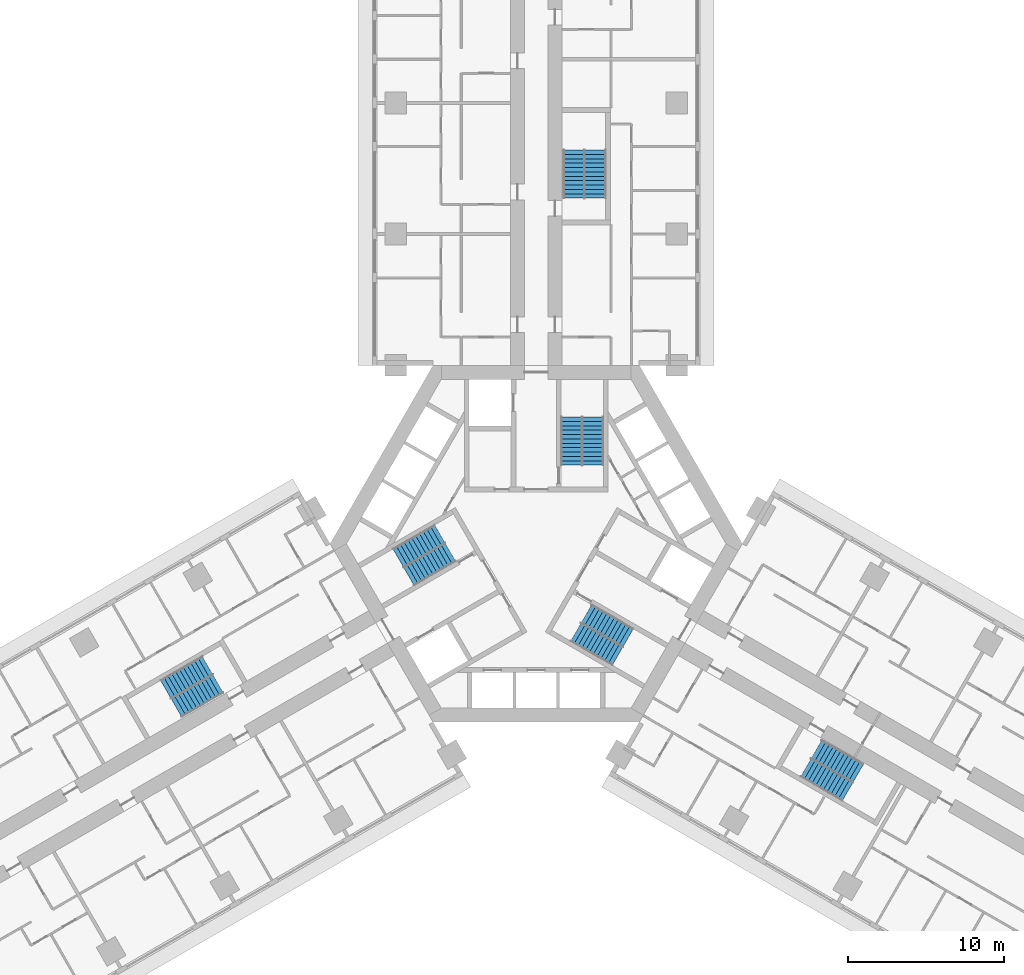
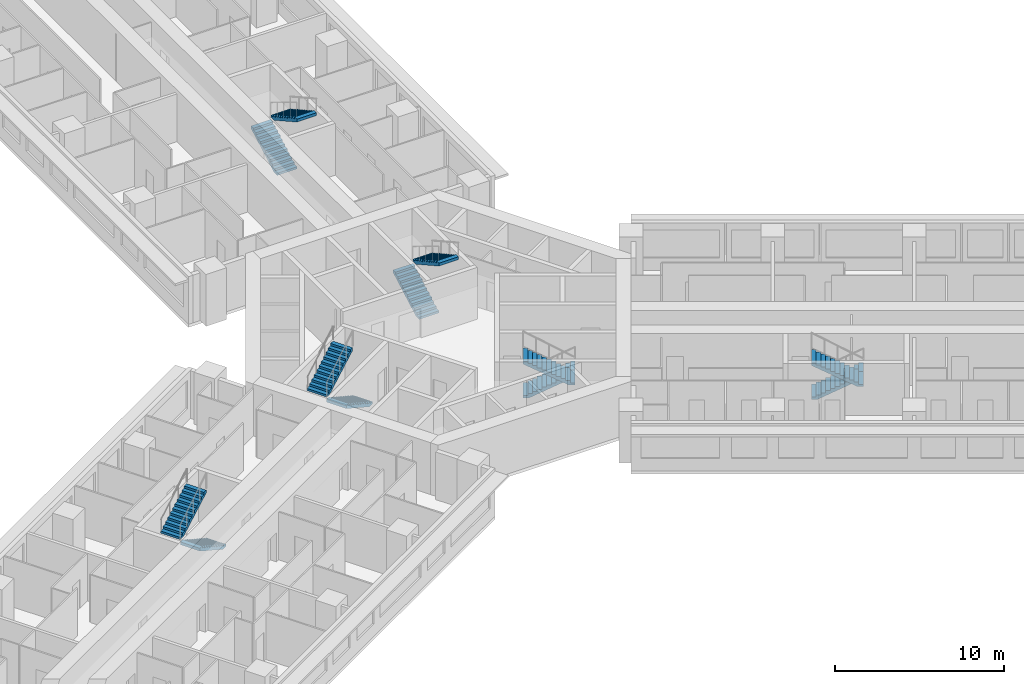
# One storey, part 13 of 14: 12 stair flights, 6 elements without a shape of their own.
"""IFC4 building model written with IfcOpenShell, lengths in metres."""

from ifc_helpers import new_model, si_unit, direction, frame, origin, place, context, subcontext, project, spatial, polyline, outline, extrude, material, type_object, element, aggregate, save


model = new_model("IFC4")

# Units and contexts
model_context = context("Model", 3, precision=1e-05, world=origin(), true_north=direction((0.0, 1.0)))
body_context = subcontext(model_context, "Body", "Model", "MODEL_VIEW")
ifc_project = project(units=[si_unit("LENGTHUNIT", "METRE"), si_unit("AREAUNIT", "SQUARE_METRE"), si_unit("VOLUMEUNIT", "CUBIC_METRE"), si_unit("PLANEANGLEUNIT", "RADIAN"), si_unit("MASSUNIT", "GRAM", prefix="KILO")], contexts=[model_context])

# Site, building, storey
site_placement = place(None, origin())
site = spatial("IfcSite", under=ifc_project, at=site_placement, CompositionType="ELEMENT")
building_placement = place(site_placement, origin())
building = spatial("IfcBuilding", under=site, at=building_placement, Name="Impinga Residences", CompositionType="ELEMENT")
storey_placement = place(building_placement, frame((0.0, 0.0, 89.75)))
storey = spatial("IfcBuildingStorey", under=building, at=storey_placement, Name="L22", CompositionType="ELEMENT", Elevation=89.75)

# Stair, stair flights
ifc_material = material(Name="Concrete C40/50", Category="concrete")
stair_type_1 = type_object("IfcStairType", Name="STR core stair 3750 storey, 24 risers", PredefinedType="HALF_TURN_STAIR", material=ifc_material)
stair_1_placement = place(storey_placement, origin())
stair_1 = element("IfcStair", 1, at=stair_1_placement, inside=storey, type_object=stair_type_1, Name="Stair ST1 L22", PredefinedType="HALF_TURN_STAIR")
stair_flight_type = type_object("IfcStairFlightType", Name="SF 12 risers of 156", PredefinedType="STRAIGHT", material=ifc_material)
stair_flight_1_placement = place(storey_placement, frame((2.27490234375, 5.030029296875, 0.0), z_axis=(0.0, 0.0, 1.0), x_axis=(0.0, 1.0, 0.0)))
stair_flight_1 = element("IfcStairFlight", 2, at=stair_flight_1_placement, type_object=stair_flight_type, Name="ST1 flight 1", NumberOfRisers=12, NumberOfTreads=11, PredefinedType="STRAIGHT", RiserHeight=0.15625, TreadLength=0.28, context=body_context, shape_type="SweptSolid", body=[
    extrude(outline(polyline([(0.0, 0.0), (0.0, 0.15625), (0.280029296875, 0.15625), (0.280029296875, 0.3125), (0.56005859375, 0.3125), (0.56005859375, 0.46875), (0.840087890625, 0.46875), (0.840087890625, 0.625), (1.1201171875, 0.625), (1.1201171875, 0.78125), (1.39990234375, 0.78125), (1.39990234375, 0.9375), (1.679931640625, 0.9375), (1.679931640625, 1.09375), (1.9599609375, 1.09375), (1.9599609375, 1.25), (2.239990234375, 1.25), (2.239990234375, 1.40625), (2.52001953125, 1.40625), (2.52001953125, 1.5625), (2.800048828125, 1.5625), (2.800048828125, 1.71875), (3.080078125, 1.71875), (3.080078125, 1.875), (3.080078125, 1.5126953125), (0.369140625, 0.0), (0.0, 0.0)])), frame((0.0, 0.675048828125, 0.0), z_axis=(0.0, -1.0, 0.0), x_axis=(1.0, 0.0, 0.0)), (0.0, 0.0, 1.0), 1.35009765625),
])
stair_flight_2_placement = place(storey_placement, frame((3.625, 8.110107421875, 1.875), z_axis=(0.0, 0.0, 1.0), x_axis=(0.0, -1.0, 0.0)))
stair_flight_2 = element("IfcStairFlight", 3, at=stair_flight_2_placement, type_object=stair_flight_type, Name="ST1 flight 2", NumberOfRisers=12, NumberOfTreads=11, PredefinedType="STRAIGHT", RiserHeight=0.15625, TreadLength=0.28, context=body_context, shape_type="SweptSolid", body=[
    extrude(outline(polyline([(0.0, 0.0), (0.0, 0.15625), (0.280029296875, 0.15625), (0.280029296875, 0.3125), (0.56005859375, 0.3125), (0.56005859375, 0.46875), (0.840087890625, 0.46875), (0.840087890625, 0.625), (1.1201171875, 0.625), (1.1201171875, 0.78125), (1.39990234375, 0.78125), (1.39990234375, 0.9375), (1.679931640625, 0.9375), (1.679931640625, 1.09375), (1.9599609375, 1.09375), (1.9599609375, 1.25), (2.239990234375, 1.25), (2.239990234375, 1.40625), (2.52001953125, 1.40625), (2.52001953125, 1.5625), (2.800048828125, 1.5625), (2.800048828125, 1.71875), (3.080078125, 1.71875), (3.080078125, 1.875), (3.080078125, 1.5126953125), (0.369140625, 0.0), (0.0, 0.0)])), frame((0.0, 0.675048828125, 0.0), z_axis=(0.0, -1.0, 0.0), x_axis=(1.0, 0.0, 0.0)), (0.0, 0.0, 1.0), 1.35009765625),
])
aggregate(stair_1, [stair_flight_1, stair_flight_2])

stair_2_placement = place(storey_placement, origin())
stair_2 = element("IfcStair", 4, at=stair_2_placement, inside=storey, type_object=stair_type_1, Name="Stair ST2 L22", PredefinedType="HALF_TURN_STAIR")
stair_flight_3_placement = place(storey_placement, frame((-5.49365234375, -0.544677734375, 0.0), z_axis=(0.0, 0.0, 1.0), x_axis=(-0.866025403784, -0.5, 0.0)))
stair_flight_3 = element("IfcStairFlight", 5, at=stair_flight_3_placement, type_object=stair_flight_type, Name="ST2 flight 1", NumberOfRisers=12, NumberOfTreads=11, PredefinedType="STRAIGHT", RiserHeight=0.15625, TreadLength=0.28, context=body_context, shape_type="SweptSolid", body=[
    extrude(outline(polyline([(0.0, 0.0), (0.0, 0.15625), (0.280029296875, 0.15625), (0.280029296875, 0.3125), (0.56005859375, 0.3125), (0.56005859375, 0.46875), (0.840087890625, 0.46875), (0.840087890625, 0.625), (1.1201171875, 0.625), (1.1201171875, 0.78125), (1.39990234375, 0.78125), (1.39990234375, 0.9375), (1.679931640625, 0.9375), (1.679931640625, 1.09375), (1.9599609375, 1.09375), (1.9599609375, 1.25), (2.239990234375, 1.25), (2.239990234375, 1.40625), (2.52001953125, 1.40625), (2.52001953125, 1.5625), (2.800048828125, 1.5625), (2.800048828125, 1.71875), (3.080078125, 1.71875), (3.080078125, 1.875), (3.080078125, 1.5126953125), (0.369140625, 0.0), (0.0, 0.0)])), frame((0.0, 0.675048828125, 0.0), z_axis=(0.0, -1.0, 0.0), x_axis=(1.0, 0.0, 0.0)), (0.0, 0.0, 1.0), 1.35009765625),
])
stair_flight_4_placement = place(storey_placement, frame((-8.8359375, -0.915771484375, 1.875), z_axis=(0.0, 0.0, 1.0), x_axis=(0.866025403784, 0.5, 0.0)))
stair_flight_4 = element("IfcStairFlight", 6, at=stair_flight_4_placement, type_object=stair_flight_type, Name="ST2 flight 2", NumberOfRisers=12, NumberOfTreads=11, PredefinedType="STRAIGHT", RiserHeight=0.15625, TreadLength=0.28, context=body_context, shape_type="SweptSolid", body=[
    extrude(outline(polyline([(0.0, 0.0), (0.0, 0.15625), (0.280029296875, 0.15625), (0.280029296875, 0.3125), (0.56005859375, 0.3125), (0.56005859375, 0.46875), (0.840087890625, 0.46875), (0.840087890625, 0.625), (1.1201171875, 0.625), (1.1201171875, 0.78125), (1.39990234375, 0.78125), (1.39990234375, 0.9375), (1.679931640625, 0.9375), (1.679931640625, 1.09375), (1.9599609375, 1.09375), (1.9599609375, 1.25), (2.239990234375, 1.25), (2.239990234375, 1.40625), (2.52001953125, 1.40625), (2.52001953125, 1.5625), (2.800048828125, 1.5625), (2.800048828125, 1.71875), (3.080078125, 1.71875), (3.080078125, 1.875), (3.080078125, 1.5126953125), (0.369140625, 0.0), (0.0, 0.0)])), frame((0.0, 0.675048828125, 0.0), z_axis=(0.0, -1.0, 0.0), x_axis=(1.0, 0.0, 0.0)), (0.0, 0.0, 1.0), 1.35009765625),
])
aggregate(stair_2, [stair_flight_3, stair_flight_4])

stair_3_placement = place(storey_placement, origin())
stair_3 = element("IfcStair", 7, at=stair_3_placement, inside=storey, type_object=stair_type_1, Name="Stair ST3 L22", PredefinedType="HALF_TURN_STAIR")
stair_flight_5_placement = place(storey_placement, frame((3.218505859375, -4.485107421875, 0.0), z_axis=(0.0, 0.0, 1.0), x_axis=(0.866025403784, -0.5, 0.0)))
stair_flight_5 = element("IfcStairFlight", 8, at=stair_flight_5_placement, type_object=stair_flight_type, Name="ST3 flight 1", NumberOfRisers=12, NumberOfTreads=11, PredefinedType="STRAIGHT", RiserHeight=0.15625, TreadLength=0.28, context=body_context, shape_type="SweptSolid", body=[
    extrude(outline(polyline([(0.0, 0.0), (0.0, 0.15625), (0.280029296875, 0.15625), (0.280029296875, 0.3125), (0.56005859375, 0.3125), (0.56005859375, 0.46875), (0.840087890625, 0.46875), (0.840087890625, 0.625), (1.1201171875, 0.625), (1.1201171875, 0.78125), (1.39990234375, 0.78125), (1.39990234375, 0.9375), (1.679931640625, 0.9375), (1.679931640625, 1.09375), (1.9599609375, 1.09375), (1.9599609375, 1.25), (2.239990234375, 1.25), (2.239990234375, 1.40625), (2.52001953125, 1.40625), (2.52001953125, 1.5625), (2.800048828125, 1.5625), (2.800048828125, 1.71875), (3.080078125, 1.71875), (3.080078125, 1.875), (3.080078125, 1.5126953125), (0.369140625, 0.0), (0.0, 0.0)])), frame((0.0, 0.675048828125, 0.0), z_axis=(0.0, -1.0, 0.0), x_axis=(1.0, 0.0, 0.0)), (0.0, 0.0, 1.0), 1.35009765625),
])
stair_flight_6_placement = place(storey_placement, frame((5.2109375, -7.1943359375, 1.875), z_axis=(0.0, 0.0, 1.0), x_axis=(-0.866025403784, 0.5, 0.0)))
stair_flight_6 = element("IfcStairFlight", 9, at=stair_flight_6_placement, type_object=stair_flight_type, Name="ST3 flight 2", NumberOfRisers=12, NumberOfTreads=11, PredefinedType="STRAIGHT", RiserHeight=0.15625, TreadLength=0.28, context=body_context, shape_type="SweptSolid", body=[
    extrude(outline(polyline([(0.0, 0.0), (0.0, 0.15625), (0.280029296875, 0.15625), (0.280029296875, 0.3125), (0.56005859375, 0.3125), (0.56005859375, 0.46875), (0.840087890625, 0.46875), (0.840087890625, 0.625), (1.1201171875, 0.625), (1.1201171875, 0.78125), (1.39990234375, 0.78125), (1.39990234375, 0.9375), (1.679931640625, 0.9375), (1.679931640625, 1.09375), (1.9599609375, 1.09375), (1.9599609375, 1.25), (2.239990234375, 1.25), (2.239990234375, 1.40625), (2.52001953125, 1.40625), (2.52001953125, 1.5625), (2.800048828125, 1.5625), (2.800048828125, 1.71875), (3.080078125, 1.71875), (3.080078125, 1.875), (3.080078125, 1.5126953125), (0.369140625, 0.0), (0.0, 0.0)])), frame((0.0, 0.675048828125, 0.0), z_axis=(0.0, -1.0, 0.0), x_axis=(1.0, 0.0, 0.0)), (0.0, 0.0, 1.0), 1.35009765625),
])
aggregate(stair_3, [stair_flight_5, stair_flight_6])

stair_type_2 = type_object("IfcStairType", Name="STR wing stair 3750 storey, 24 risers", PredefinedType="HALF_TURN_STAIR", material=ifc_material)
stair_4_placement = place(storey_placement, origin())
stair_4 = element("IfcStair", 10, at=stair_4_placement, inside=storey, type_object=stair_type_2, Name="Stair WS1 L22", PredefinedType="HALF_TURN_STAIR")
stair_flight_7_placement = place(storey_placement, frame((2.425048828125, 22.131591796875, 0.0), z_axis=(0.0, 0.0, 1.0), x_axis=(0.0, 1.0, 0.0)))
stair_flight_7 = element("IfcStairFlight", 11, at=stair_flight_7_placement, type_object=stair_flight_type, Name="WS1 flight 1", NumberOfRisers=12, NumberOfTreads=11, PredefinedType="STRAIGHT", RiserHeight=0.15625, TreadLength=0.28, context=body_context, shape_type="SweptSolid", body=[
    extrude(outline(polyline([(0.0, 0.0), (0.0, 0.15625), (0.280029296875, 0.15625), (0.280029296875, 0.3125), (0.56005859375, 0.3125), (0.56005859375, 0.46875), (0.840087890625, 0.46875), (0.840087890625, 0.625), (1.1201171875, 0.625), (1.1201171875, 0.78125), (1.39990234375, 0.78125), (1.39990234375, 0.9375), (1.679931640625, 0.9375), (1.679931640625, 1.09375), (1.9599609375, 1.09375), (1.9599609375, 1.25), (2.239990234375, 1.25), (2.239990234375, 1.40625), (2.52001953125, 1.40625), (2.52001953125, 1.5625), (2.800048828125, 1.5625), (2.800048828125, 1.71875), (3.080078125, 1.71875), (3.080078125, 1.875), (3.080078125, 1.5126953125), (0.369140625, 0.0), (0.0, 0.0)])), frame((0.0, 0.675048828125, 0.0), z_axis=(0.0, -1.0, 0.0), x_axis=(1.0, 0.0, 0.0)), (0.0, 0.0, 1.0), 1.35009765625),
])
stair_flight_8_placement = place(storey_placement, frame((3.77490234375, 25.21142578125, 1.875), z_axis=(0.0, 0.0, 1.0), x_axis=(0.0, -1.0, 0.0)))
stair_flight_8 = element("IfcStairFlight", 12, at=stair_flight_8_placement, type_object=stair_flight_type, Name="WS1 flight 2", NumberOfRisers=12, NumberOfTreads=11, PredefinedType="STRAIGHT", RiserHeight=0.15625, TreadLength=0.28, context=body_context, shape_type="SweptSolid", body=[
    extrude(outline(polyline([(0.0, 0.0), (0.0, 0.15625), (0.280029296875, 0.15625), (0.280029296875, 0.3125), (0.56005859375, 0.3125), (0.56005859375, 0.46875), (0.840087890625, 0.46875), (0.840087890625, 0.625), (1.1201171875, 0.625), (1.1201171875, 0.78125), (1.39990234375, 0.78125), (1.39990234375, 0.9375), (1.679931640625, 0.9375), (1.679931640625, 1.09375), (1.9599609375, 1.09375), (1.9599609375, 1.25), (2.239990234375, 1.25), (2.239990234375, 1.40625), (2.52001953125, 1.40625), (2.52001953125, 1.5625), (2.800048828125, 1.5625), (2.800048828125, 1.71875), (3.080078125, 1.71875), (3.080078125, 1.875), (3.080078125, 1.5126953125), (0.369140625, 0.0), (0.0, 0.0)])), frame((0.0, 0.675048828125, 0.0), z_axis=(0.0, -1.0, 0.0), x_axis=(1.0, 0.0, 0.0)), (0.0, 0.0, 1.0), 1.35009765625),
])
aggregate(stair_4, [stair_flight_7, stair_flight_8])

stair_5_placement = place(storey_placement, origin())
stair_5 = element("IfcStair", 13, at=stair_5_placement, inside=storey, type_object=stair_type_2, Name="Stair WS2 L22", PredefinedType="HALF_TURN_STAIR")
stair_flight_9_placement = place(storey_placement, frame((-20.37890625, -8.965576171875, 0.0), z_axis=(0.0, 0.0, 1.0), x_axis=(-0.866025403784, -0.5, 0.0)))
stair_flight_9 = element("IfcStairFlight", 14, at=stair_flight_9_placement, type_object=stair_flight_type, Name="WS2 flight 1", NumberOfRisers=12, NumberOfTreads=11, PredefinedType="STRAIGHT", RiserHeight=0.15625, TreadLength=0.28, context=body_context, shape_type="SweptSolid", body=[
    extrude(outline(polyline([(0.0, 0.0), (0.0, 0.15625), (0.280029296875, 0.15625), (0.280029296875, 0.3125), (0.56005859375, 0.3125), (0.56005859375, 0.46875), (0.840087890625, 0.46875), (0.840087890625, 0.625), (1.1201171875, 0.625), (1.1201171875, 0.78125), (1.39990234375, 0.78125), (1.39990234375, 0.9375), (1.679931640625, 0.9375), (1.679931640625, 1.09375), (1.9599609375, 1.09375), (1.9599609375, 1.25), (2.239990234375, 1.25), (2.239990234375, 1.40625), (2.52001953125, 1.40625), (2.52001953125, 1.5625), (2.800048828125, 1.5625), (2.800048828125, 1.71875), (3.080078125, 1.71875), (3.080078125, 1.875), (3.080078125, 1.5126953125), (0.369140625, 0.0), (0.0, 0.0)])), frame((0.0, 0.675048828125, 0.0), z_axis=(0.0, -1.0, 0.0), x_axis=(1.0, 0.0, 0.0)), (0.0, 0.0, 1.0), 1.35009765625),
])
stair_flight_10_placement = place(storey_placement, frame((-23.721435546875, -9.33642578125, 1.875), z_axis=(0.0, 0.0, 1.0), x_axis=(0.866025403784, 0.5, 0.0)))
stair_flight_10 = element("IfcStairFlight", 15, at=stair_flight_10_placement, type_object=stair_flight_type, Name="WS2 flight 2", NumberOfRisers=12, NumberOfTreads=11, PredefinedType="STRAIGHT", RiserHeight=0.15625, TreadLength=0.28, context=body_context, shape_type="SweptSolid", body=[
    extrude(outline(polyline([(0.0, 0.0), (0.0, 0.15625), (0.280029296875, 0.15625), (0.280029296875, 0.3125), (0.56005859375, 0.3125), (0.56005859375, 0.46875), (0.840087890625, 0.46875), (0.840087890625, 0.625), (1.1201171875, 0.625), (1.1201171875, 0.78125), (1.39990234375, 0.78125), (1.39990234375, 0.9375), (1.679931640625, 0.9375), (1.679931640625, 1.09375), (1.9599609375, 1.09375), (1.9599609375, 1.25), (2.239990234375, 1.25), (2.239990234375, 1.40625), (2.52001953125, 1.40625), (2.52001953125, 1.5625), (2.800048828125, 1.5625), (2.800048828125, 1.71875), (3.080078125, 1.71875), (3.080078125, 1.875), (3.080078125, 1.5126953125), (0.369140625, 0.0), (0.0, 0.0)])), frame((0.0, 0.675048828125, 0.0), z_axis=(0.0, -1.0, 0.0), x_axis=(1.0, 0.0, 0.0)), (0.0, 0.0, 1.0), 1.35009765625),
])
aggregate(stair_5, [stair_flight_9, stair_flight_10])

stair_6_placement = place(storey_placement, origin())
stair_6 = element("IfcStair", 16, at=stair_6_placement, inside=storey, type_object=stair_type_2, Name="Stair WS3 L22", PredefinedType="HALF_TURN_STAIR")
stair_flight_11_placement = place(storey_placement, frame((17.953857421875, -13.165771484375, 0.0), z_axis=(0.0, 0.0, 1.0), x_axis=(0.866025403784, -0.5, 0.0)))
stair_flight_11 = element("IfcStairFlight", 17, at=stair_flight_11_placement, type_object=stair_flight_type, Name="WS3 flight 1", NumberOfRisers=12, NumberOfTreads=11, PredefinedType="STRAIGHT", RiserHeight=0.15625, TreadLength=0.28, context=body_context, shape_type="SweptSolid", body=[
    extrude(outline(polyline([(0.0, 0.0), (0.0, 0.15625), (0.280029296875, 0.15625), (0.280029296875, 0.3125), (0.56005859375, 0.3125), (0.56005859375, 0.46875), (0.840087890625, 0.46875), (0.840087890625, 0.625), (1.1201171875, 0.625), (1.1201171875, 0.78125), (1.39990234375, 0.78125), (1.39990234375, 0.9375), (1.679931640625, 0.9375), (1.679931640625, 1.09375), (1.9599609375, 1.09375), (1.9599609375, 1.25), (2.239990234375, 1.25), (2.239990234375, 1.40625), (2.52001953125, 1.40625), (2.52001953125, 1.5625), (2.800048828125, 1.5625), (2.800048828125, 1.71875), (3.080078125, 1.71875), (3.080078125, 1.875), (3.080078125, 1.5126953125), (0.369140625, 0.0), (0.0, 0.0)])), frame((0.0, 0.675048828125, 0.0), z_axis=(0.0, -1.0, 0.0), x_axis=(1.0, 0.0, 0.0)), (0.0, 0.0, 1.0), 1.35009765625),
])
stair_flight_12_placement = place(storey_placement, frame((19.9462890625, -15.875, 1.875), z_axis=(0.0, 0.0, 1.0), x_axis=(-0.866025403784, 0.5, 0.0)))
stair_flight_12 = element("IfcStairFlight", 18, at=stair_flight_12_placement, type_object=stair_flight_type, Name="WS3 flight 2", NumberOfRisers=12, NumberOfTreads=11, PredefinedType="STRAIGHT", RiserHeight=0.15625, TreadLength=0.28, context=body_context, shape_type="SweptSolid", body=[
    extrude(outline(polyline([(0.0, 0.0), (0.0, 0.15625), (0.280029296875, 0.15625), (0.280029296875, 0.3125), (0.56005859375, 0.3125), (0.56005859375, 0.46875), (0.840087890625, 0.46875), (0.840087890625, 0.625), (1.1201171875, 0.625), (1.1201171875, 0.78125), (1.39990234375, 0.78125), (1.39990234375, 0.9375), (1.679931640625, 0.9375), (1.679931640625, 1.09375), (1.9599609375, 1.09375), (1.9599609375, 1.25), (2.239990234375, 1.25), (2.239990234375, 1.40625), (2.52001953125, 1.40625), (2.52001953125, 1.5625), (2.800048828125, 1.5625), (2.800048828125, 1.71875), (3.080078125, 1.71875), (3.080078125, 1.875), (3.080078125, 1.5126953125), (0.369140625, 0.0), (0.0, 0.0)])), frame((0.0, 0.675048828125, 0.0), z_axis=(0.0, -1.0, 0.0), x_axis=(1.0, 0.0, 0.0)), (0.0, 0.0, 1.0), 1.35009765625),
])
aggregate(stair_6, [stair_flight_11, stair_flight_12])

save(model, "model.ifc")
